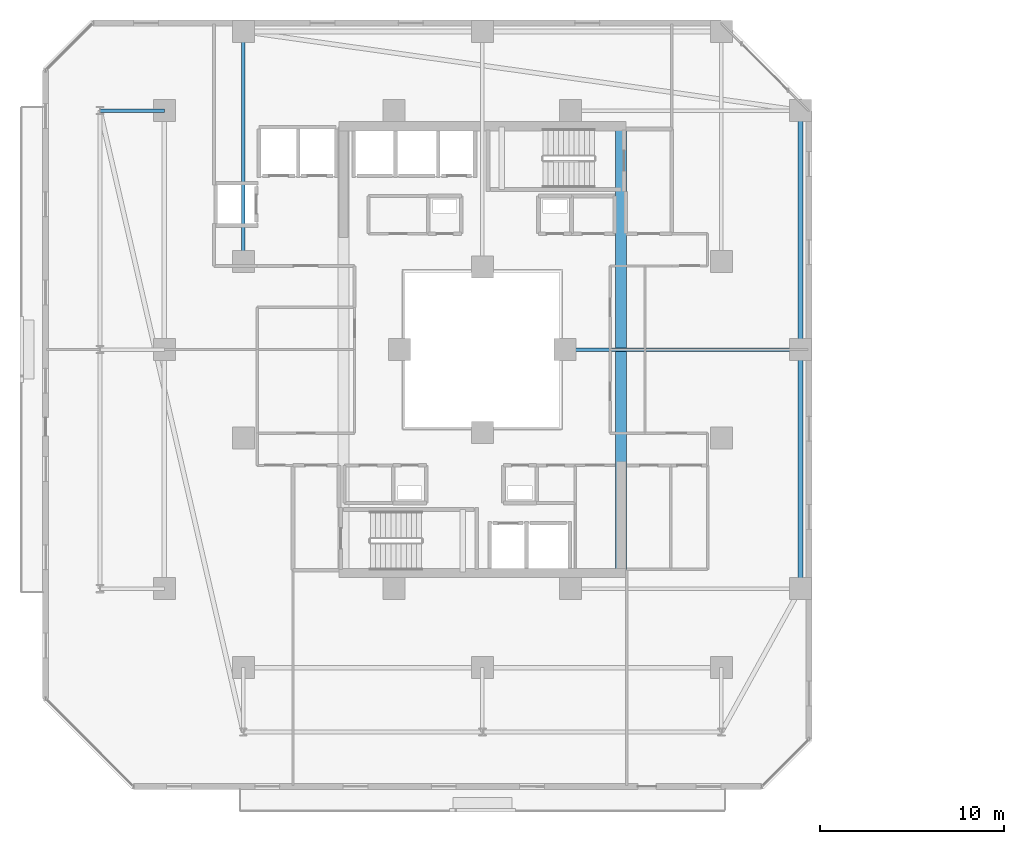
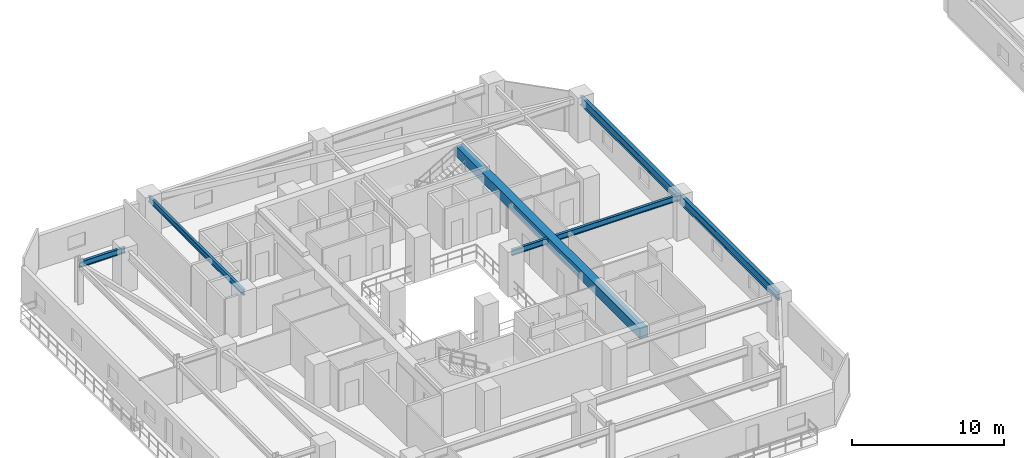
# One storey, part 6 of 34: 6 beams.
"""IFC4 building model written with IfcOpenShell, lengths in metres."""

from ifc_helpers import new_model, si_unit, direction, frame, origin, origin_2d, place, context, subcontext, project, spatial, rectangle, i_section, extrude, material, material_profile, profile_set, type_object, element, save


model = new_model("IFC4")

# Units and contexts
model_context = context("Model", 3, precision=1e-05, world=origin(), true_north=direction((0.0, 1.0)))
body_context = subcontext(model_context, "Body", "Model", "MODEL_VIEW")
ifc_project = project(units=[si_unit("LENGTHUNIT", "METRE"), si_unit("AREAUNIT", "SQUARE_METRE"), si_unit("VOLUMEUNIT", "CUBIC_METRE"), si_unit("PLANEANGLEUNIT", "RADIAN"), si_unit("MASSUNIT", "GRAM", prefix="KILO")], contexts=[model_context])

# Site, building, storey
site_placement = place(None, origin())
site = spatial("IfcSite", under=ifc_project, at=site_placement, CompositionType="ELEMENT")
building_placement = place(site_placement, origin())
building = spatial("IfcBuilding", under=site, at=building_placement, Name="Thornwick Lancets Civic Towers", CompositionType="ELEMENT")
storey_placement = place(building_placement, frame((0.0, 0.0, 137.699951171875)))
storey = spatial("IfcBuildingStorey", under=building, at=storey_placement, Name="L36", CompositionType="ELEMENT", Elevation=137.699951171875)

# Beams
ifc_material_1 = material(Name="Concrete C60/75", Category="concrete")
ifc_material_profile_1 = material_profile(ifc_material_1, rectangle(XDim=0.60009765625, YDim=0.800048828125, at=origin_2d()), Name="RC 600x800")
ifc_profile_set_1 = profile_set([ifc_material_profile_1], Name="Concrete C60/75")
beam_type_1 = type_object("IfcBeamType", Name="BM_COUP_RC800", PredefinedType="BEAM", material=ifc_profile_set_1)
beam_1_placement = place(storey_placement, frame((33.050048828125, 14.89990234375, 2.880126953125), z_axis=(0.0, 1.0, 0.0), x_axis=(-1.0, 0.0, 0.0)))
element("IfcBeam", 1, at=beam_1_placement, inside=storey, type_object=beam_type_1, Name="CB-L36-A1", PredefinedType="BEAM", context=body_context, shape_type="SweptSolid", body=[
    extrude(rectangle(XDim=0.60009765625, YDim=0.800048828125, at=origin_2d()), origin(), (0.0, 0.0, 1.0), 24.2001953125),
])
ifc_material_2 = material(Name="Steel S355JR", Category="steel")
ifc_material_profile_2 = material_profile(ifc_material_2, i_section(OverallWidth=0.255859375, OverallDepth=0.69287109375, WebThickness=0.014404296875, FlangeThickness=0.023681640625, FilletRadius=0.01513671875, at=origin_2d()), Name="UKB 686x254x170")
ifc_profile_set_2 = profile_set([ifc_material_profile_2], Name="Steel S355JR")
beam_type_2 = type_object("IfcBeamType", Name="BM_GIRD_686_170", PredefinedType="BEAM", material=ifc_profile_set_2)
beam_2_placement = place(storey_placement, frame((42.800048828125, 14.0, 2.93359375), z_axis=(0.0, 1.0, 0.0), x_axis=(-1.0, 0.0, 0.0)))
element("IfcBeam", 2, at=beam_2_placement, inside=storey, type_object=beam_type_2, Name="BM-SPINE-L36-A-3-4", PredefinedType="BEAM", context=body_context, shape_type="SweptSolid", body=[
    extrude(i_section(OverallWidth=0.255859375, OverallDepth=0.69287109375, WebThickness=0.014404296875, FlangeThickness=0.023681640625, FilletRadius=0.01513671875, at=origin_2d()), origin(), (0.0, 0.0, 1.0), 13.0),
])
beam_3_placement = place(storey_placement, frame((42.800048828125, 27.080078125, 2.93359375), z_axis=(0.0, 1.0, 0.0), x_axis=(-1.0, 0.0, 0.0)))
element("IfcBeam", 3, at=beam_3_placement, inside=storey, type_object=beam_type_2, Name="BM-SPINE-L36-A-4-5", PredefinedType="BEAM", context=body_context, shape_type="SweptSolid", body=[
    extrude(i_section(OverallWidth=0.255859375, OverallDepth=0.69287109375, WebThickness=0.014404296875, FlangeThickness=0.023681640625, FilletRadius=0.01513671875, at=origin_2d()), origin(), (0.0, 0.0, 1.0), 12.919921875),
])
ifc_material_profile_3 = material_profile(ifc_material_2, i_section(OverallWidth=0.19189453125, OverallDepth=0.46337890625, WebThickness=0.010498046875, FlangeThickness=0.017578125, FilletRadius=0.01025390625, at=origin_2d()), Name="UKB 457x191x89")
ifc_profile_set_3 = profile_set([ifc_material_profile_3], Name="Steel S355JR")
beam_type_3 = type_object("IfcBeamType", Name="BM_JOIST_457_89", PredefinedType="JOIST", material=ifc_profile_set_3)
beam_4_placement = place(storey_placement, frame((30.0, 27.0, 3.04833984375), z_axis=(1.0, 0.0, 0.0), x_axis=(0.0, 1.0, 0.0)))
element("IfcBeam", 4, at=beam_4_placement, inside=storey, type_object=beam_type_3, Name="BM-RADIN-L36-A05", PredefinedType="JOIST", context=body_context, shape_type="SweptSolid", body=[
    extrude(i_section(OverallWidth=0.19189453125, OverallDepth=0.46337890625, WebThickness=0.010498046875, FlangeThickness=0.017578125, FilletRadius=0.01025390625, at=origin_2d()), origin(), (0.0, 0.0, 1.0), 12.800048828125),
])
beam_5_placement = place(storey_placement, frame((12.5, 31.800048828125, 3.04833984375), z_axis=(0.0, 1.0, 0.0), x_axis=(-1.0, 0.0, 0.0)))
element("IfcBeam", 5, at=beam_5_placement, inside=storey, type_object=beam_type_3, Name="BM-RADIN-L36-A07", PredefinedType="JOIST", context=body_context, shape_type="SweptSolid", body=[
    extrude(i_section(OverallWidth=0.19189453125, OverallDepth=0.46337890625, WebThickness=0.010498046875, FlangeThickness=0.017578125, FilletRadius=0.01025390625, at=origin_2d()), origin(), (0.0, 0.0, 1.0), 12.5),
])
beam_6_placement = place(storey_placement, frame((8.199951171875, 40.0, 3.04833984375), z_axis=(-1.0, 0.0, 0.0), x_axis=(0.0, -1.0, 0.0)))
element("IfcBeam", 6, at=beam_6_placement, inside=storey, type_object=beam_type_3, Name="BM-RAD-L36-A12", PredefinedType="JOIST", context=body_context, shape_type="SweptSolid", body=[
    extrude(i_section(OverallWidth=0.19189453125, OverallDepth=0.46337890625, WebThickness=0.010498046875, FlangeThickness=0.017578125, FilletRadius=0.01025390625, at=origin_2d()), origin(), (0.0, 0.0, 1.0), 3.5),
])

save(model, "model.ifc")
